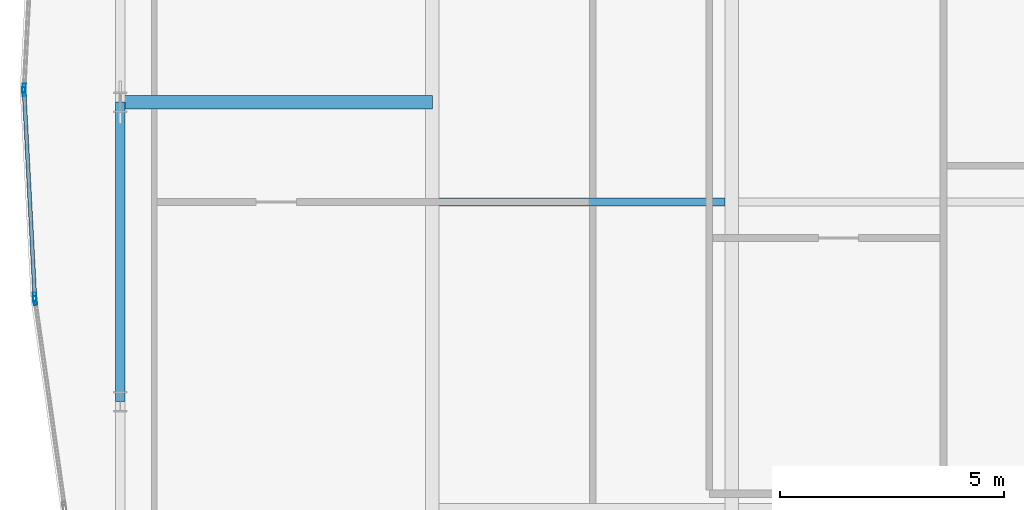
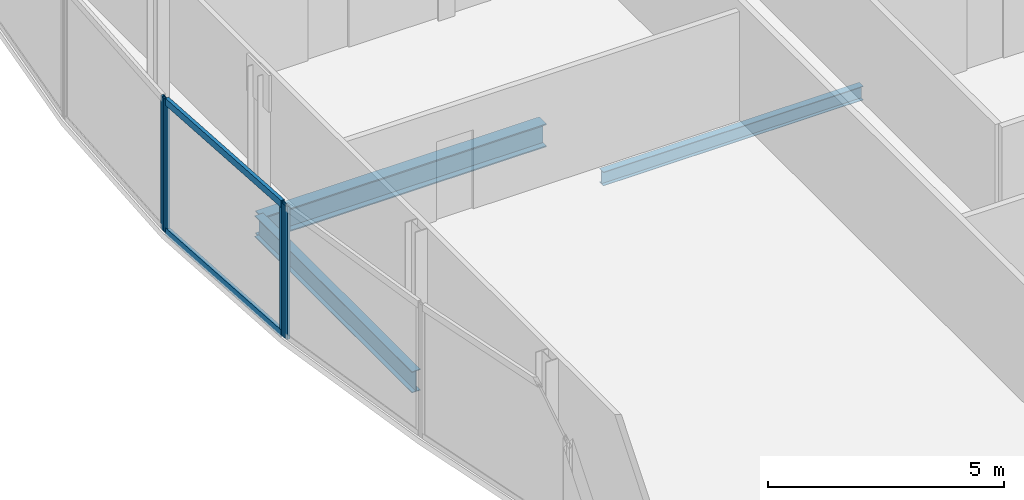
# One storey, part 9 of 27: 6 members, 3 beams, 3 elements without a shape of their own.
"""IFC4 building model written with IfcOpenShell, lengths in metres."""

from ifc_helpers import new_model, si_unit, direction, frame, origin, origin_2d, place, context, subcontext, project, spatial, hollow_rectangle, i_section, extrude, material, material_profile, profile_set, type_object, element, aggregate, save


model = new_model("IFC4")

# Units and contexts
model_context = context("Model", 3, precision=1e-05, world=origin(), true_north=direction((0.0, 1.0)))
body_context = subcontext(model_context, "Body", "Model", "MODEL_VIEW")
ifc_project = project(units=[si_unit("LENGTHUNIT", "METRE"), si_unit("AREAUNIT", "SQUARE_METRE"), si_unit("VOLUMEUNIT", "CUBIC_METRE"), si_unit("PLANEANGLEUNIT", "RADIAN"), si_unit("MASSUNIT", "GRAM", prefix="KILO")], contexts=[model_context])

# Site, building, storey
site_placement = place(None, origin())
site = spatial("IfcSite", under=ifc_project, at=site_placement, CompositionType="ELEMENT")
building_placement = place(site_placement, origin())
building = spatial("IfcBuilding", under=site, at=building_placement, Name="Khoronbel Lancet Exchange", CompositionType="ELEMENT")
storey_placement = place(building_placement, frame((0.0, 0.0, 332.60009765625)))
storey = spatial("IfcBuildingStorey", under=building, at=storey_placement, Name="L86", CompositionType="ELEMENT", Elevation=332.60009765625)

# Beams
ifc_material_1 = material(Name="Steel S355", Category="steel")
ifc_material_profile_1 = material_profile(ifc_material_1, i_section(OverallWidth=0.300048828125, OverallDepth=0.60009765625, WebThickness=0.015380859375, FlangeThickness=0.030029296875, at=origin_2d()), Name="HEB 600")
ifc_profile_set_1 = profile_set([ifc_material_profile_1], Name="Steel S355")
beam_type_1 = type_object("IfcBeamType", Name="BM-BG5", PredefinedType="BEAM", material=ifc_profile_set_1)
beam_1_placement = place(storey_placement, frame((11.27001953125, 31.425048828125, -0.460205078125), z_axis=(1.0, 0.0, 0.0), x_axis=(0.0, 1.0, 0.0)))
element("IfcBeam", 1, at=beam_1_placement, inside=storey, type_object=beam_type_1, Name="Level L86 west lens tie girder LG2W", PredefinedType="BEAM", context=body_context, shape_type="SweptSolid", body=[
    extrude(i_section(OverallWidth=0.300048828125, OverallDepth=0.60009765625, WebThickness=0.015380859375, FlangeThickness=0.030029296875, at=origin_2d()), origin(), (0.0, 0.0, 1.0), 6.955078125),
])
ifc_material_profile_2 = material_profile(ifc_material_1, i_section(OverallWidth=0.169921875, OverallDepth=0.360107421875, WebThickness=0.008056640625, FlangeThickness=0.0126953125, at=origin_2d()), Name="IPE 360")
ifc_profile_set_2 = profile_set([ifc_material_profile_2], Name="Steel S355")
beam_type_2 = type_object("IfcBeamType", Name="BM-BJ6", PredefinedType="JOIST", material=ifc_profile_set_2)
beam_2_placement = place(storey_placement, frame((18.375, 29.199951171875, -0.340087890625), z_axis=(1.0, 0.0, 0.0), x_axis=(0.0, 1.0, 0.0)))
element("IfcBeam", 2, at=beam_2_placement, inside=storey, type_object=beam_type_2, Name="Level L86 secondary composite joist J07", PredefinedType="JOIST", context=body_context, shape_type="SweptSolid", body=[
    extrude(i_section(OverallWidth=0.169921875, OverallDepth=0.360107421875, WebThickness=0.008056640625, FlangeThickness=0.0126953125, at=origin_2d()), origin(), (0.0, 0.0, 1.0), 6.375),
])
ifc_material_profile_3 = material_profile(ifc_material_1, i_section(OverallWidth=0.2099609375, OverallDepth=0.550048828125, WebThickness=0.010986328125, FlangeThickness=0.01708984375, at=origin_2d()), Name="IPE 550")
ifc_profile_set_3 = profile_set([ifc_material_profile_3], Name="Steel S355")
beam_type_3 = type_object("IfcBeamType", Name="BM-BSP3", PredefinedType="SPANDREL", material=ifc_profile_set_3)
beam_3_placement = place(storey_placement, frame((11.27001953125, 31.425048828125, -0.43505859375), z_axis=(0.0, -1.0, 0.0), x_axis=(1.0, 0.0, 0.0)))
element("IfcBeam", 3, at=beam_3_placement, inside=storey, type_object=beam_type_3, Name="Level L86 perimeter spandrel beam SP17", PredefinedType="SPANDREL", context=body_context, shape_type="SweptSolid", body=[
    extrude(i_section(OverallWidth=0.2099609375, OverallDepth=0.550048828125, WebThickness=0.010986328125, FlangeThickness=0.01708984375, at=origin_2d()), origin(), (0.0, 0.0, 1.0), 6.675048828125),
])

# Curtain wall, member
ifc_material_2 = material(Name="Low-E Solar Control Insulating Glass", Category="glass")
curtain_wall_type = type_object("IfcCurtainWallType", Name="CW-4", PredefinedType="NOTDEFINED", material=ifc_material_2)
curtain_wall_1_placement = place(storey_placement, origin())
curtain_wall_1 = element("IfcCurtainWall", 4, at=curtain_wall_1_placement, inside=storey, type_object=curtain_wall_type, Name="Unitised curtain wall CW-L86-E05", PredefinedType="NOTDEFINED")
ifc_material_3 = material(Name="Bronze-Anodised Aluminium 6063-T6", Category="aluminium")
ifc_material_profile_4 = material_profile(ifc_material_3, hollow_rectangle(XDim=0.074951171875, YDim=0.199951171875, WallThickness=0.0048828125, at=origin_2d()), Name="ALU MULLION 75x200")
ifc_profile_set_4 = profile_set([ifc_material_profile_4], Name="Bronze-Anodised Aluminium 6063-T6")
member_type_1 = type_object("IfcMemberType", Name="MEM-CWM2", PredefinedType="MULLION", material=ifc_profile_set_4)
member_1_placement = place(storey_placement, frame((9.374755859375, 27.0048828125, 0.0), z_axis=(0.0, 0.0, 1.0), x_axis=(-0.990037673837, -0.140802714401, 0.0)))
member_1 = element("IfcMember", 5, at=member_1_placement, type_object=member_type_1, Name="CW4 mullion 2", PredefinedType="MULLION", context=body_context, shape_type="SweptSolid", body=[
    extrude(hollow_rectangle(XDim=0.074951171875, YDim=0.199951171875, WallThickness=0.0048828125, at=origin_2d()), origin(), (0.0, 0.0, 1.0), 3.43994140625),
])
aggregate(curtain_wall_1, [member_1])

# Curtain wall, members
curtain_wall_2_placement = place(storey_placement, origin())
curtain_wall_2 = element("IfcCurtainWall", 6, at=curtain_wall_2_placement, inside=storey, type_object=curtain_wall_type, Name="Unitised curtain wall CW-L86-E06", PredefinedType="NOTDEFINED")
member_2_placement = place(storey_placement, frame((9.367431640625, 27.079345703125, 0.0), z_axis=(0.0, 0.0, 1.0), x_axis=(-0.998647576212, -0.051990561885, 0.0)))
member_2 = element("IfcMember", 7, at=member_2_placement, type_object=member_type_1, Name="CW4 mullion 1", PredefinedType="MULLION", context=body_context, shape_type="SweptSolid", body=[
    extrude(hollow_rectangle(XDim=0.074951171875, YDim=0.199951171875, WallThickness=0.0048828125, at=origin_2d()), origin(), (0.0, 0.0, 1.0), 3.43994140625),
])
member_3_placement = place(storey_placement, frame((9.12890625, 31.66259765625, 0.0), z_axis=(0.0, 0.0, 1.0), x_axis=(-0.998647576212, -0.051990561885, 0.0)))
member_3 = element("IfcMember", 8, at=member_3_placement, type_object=member_type_1, Name="CW4 mullion 2", PredefinedType="MULLION", context=body_context, shape_type="SweptSolid", body=[
    extrude(hollow_rectangle(XDim=0.074951171875, YDim=0.199951171875, WallThickness=0.0048828125, at=origin_2d()), origin(), (0.0, 0.0, 1.0), 3.43994140625),
])

# Curtain wall, member
curtain_wall_3_placement = place(storey_placement, origin())
curtain_wall_3 = element("IfcCurtainWall", 9, at=curtain_wall_3_placement, inside=storey, type_object=curtain_wall_type, Name="Unitised curtain wall CW-L86-E07", PredefinedType="NOTDEFINED")
member_4_placement = place(storey_placement, frame((9.12890625, 31.737548828125, 0.0), z_axis=(0.0, 0.0, 1.0), x_axis=(-0.998647576212, 0.051990561885, 0.0)))
member_4 = element("IfcMember", 10, at=member_4_placement, type_object=member_type_1, Name="CW4 mullion 1", PredefinedType="MULLION", context=body_context, shape_type="SweptSolid", body=[
    extrude(hollow_rectangle(XDim=0.074951171875, YDim=0.199951171875, WallThickness=0.0048828125, at=origin_2d()), origin(), (0.0, 0.0, 1.0), 3.43994140625),
])
aggregate(curtain_wall_3, [member_4])

# Member
ifc_material_profile_5 = material_profile(ifc_material_3, hollow_rectangle(XDim=0.0849609375, YDim=0.179931640625, WallThickness=0.0048828125, at=origin_2d()), Name="ALU TRANSOM 85x180")
ifc_profile_set_5 = profile_set([ifc_material_profile_5], Name="Bronze-Anodised Aluminium 6063-T6")
member_type_2 = type_object("IfcMemberType", Name="MEM-CWT1", PredefinedType="USERDEFINED", material=ifc_profile_set_5)
member_5_placement = place(storey_placement, frame((9.365478515625, 27.116943359375, 0.04248046875), z_axis=(-0.05197406693, 0.998648434819, 0.0), x_axis=(-0.998648434819, -0.05197406693, 0.0)))
member_5 = element("IfcMember", 11, at=member_5_placement, type_object=member_type_2, Name="CW4 transom 1.1", ObjectType="TRANSOM", PredefinedType="USERDEFINED", context=body_context, shape_type="SweptSolid", body=[
    extrude(hollow_rectangle(XDim=0.0849609375, YDim=0.179931640625, WallThickness=0.0048828125, at=origin_2d()), origin(), (0.0, 0.0, 1.0), 4.51416015625),
])

member_6_placement = place(storey_placement, frame((9.365478515625, 27.116943359375, 3.3974609375), z_axis=(-0.05197406693, 0.998648434819, 0.0), x_axis=(-0.998648434819, -0.05197406693, 0.0)))
member_6 = element("IfcMember", 12, at=member_6_placement, type_object=member_type_2, Name="CW4 transom 1.2", ObjectType="TRANSOM", PredefinedType="USERDEFINED", context=body_context, shape_type="SweptSolid", body=[
    extrude(hollow_rectangle(XDim=0.0849609375, YDim=0.179931640625, WallThickness=0.0048828125, at=origin_2d()), origin(), (0.0, 0.0, 1.0), 4.51416015625),
])

aggregate(curtain_wall_2, [member_2, member_3, member_5, member_6])

save(model, "model.ifc")
